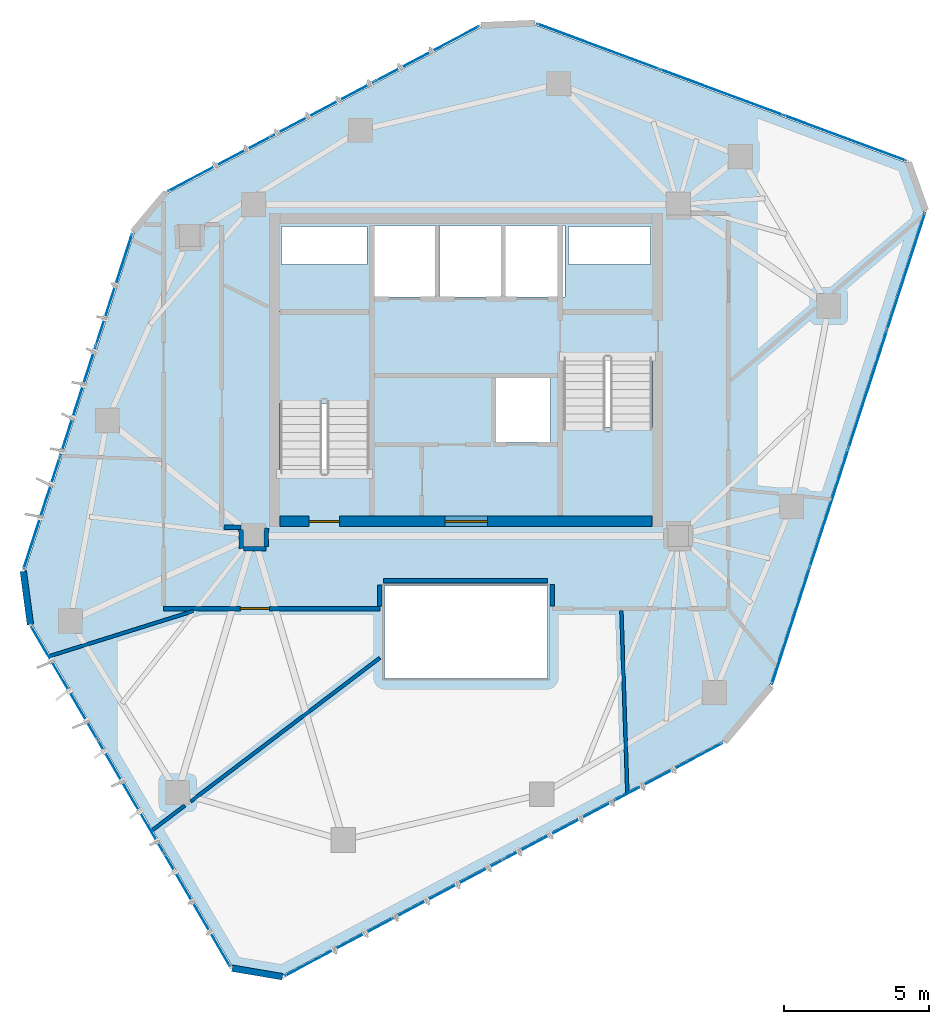
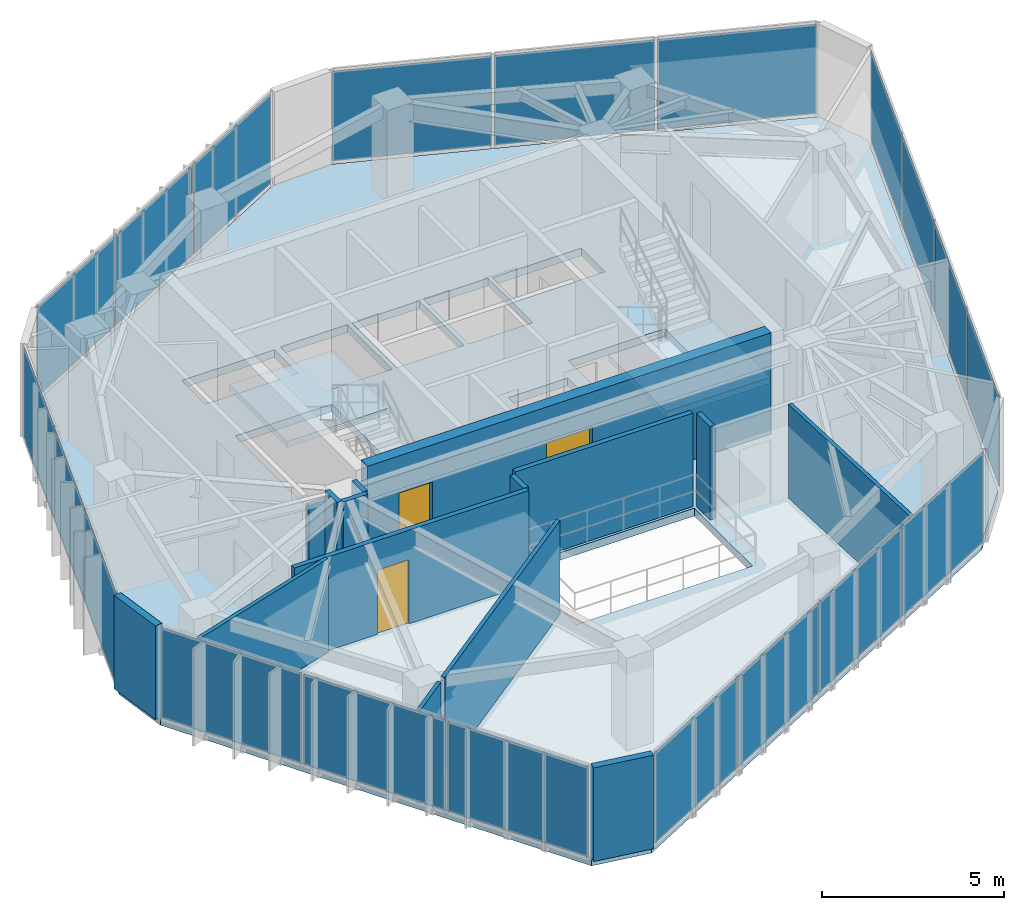
# One storey, part 16 of 20: 20 plates, 15 walls, 3 doors, 3 slabs, 3 openings, 8 elements without a shape of their own.
"""IFC4 building model written with IfcOpenShell, lengths in metres."""

from ifc_helpers import new_model, si_unit, direction, frame, frame_2d, origin, origin_2d, place, context, subcontext, project, spatial, polyline, rectangle, outline, extrude, source, transform, mapped, material, layer, layer_set, type_object, type_shapes, element, fill, aggregate, save


model = new_model("IFC4")

# Units and contexts
model_context = context("Model", 3, precision=1e-05, world=origin(), true_north=direction((0.0, 1.0)))
body_context = subcontext(model_context, "Body", "Model", "MODEL_VIEW")
ifc_project = project(units=[si_unit("LENGTHUNIT", "METRE"), si_unit("AREAUNIT", "SQUARE_METRE"), si_unit("VOLUMEUNIT", "CUBIC_METRE"), si_unit("PLANEANGLEUNIT", "RADIAN"), si_unit("MASSUNIT", "GRAM", prefix="KILO")], contexts=[model_context])

# Site, building, storey
site_placement = place(None, origin())
site = spatial("IfcSite", under=ifc_project, at=site_placement, CompositionType="ELEMENT")
building_placement = place(site_placement, origin())
building = spatial("IfcBuilding", under=site, at=building_placement, Name="Talar Marvaseh", CompositionType="ELEMENT")
storey_placement = place(building_placement, frame((0.0, 0.0, 261.199951171875)))
storey = spatial("IfcBuildingStorey", under=building, at=storey_placement, Name="L69", CompositionType="ELEMENT", Elevation=261.199951171875)

# Stair, slab
ifc_material_1 = material(Name="Concrete C40/50", Category="concrete")
stair_type = type_object("IfcStairType", Name="Reinforced Concrete High-Rise Exit Stair Type C", PredefinedType="HALF_TURN_STAIR", material=ifc_material_1)
stair_1_placement = place(storey_placement, origin())
stair_1 = element("IfcStair", 1, at=stair_1_placement, inside=storey, type_object=stair_type, Name="L69 Tower West Core Exit Stair", PredefinedType="HALF_TURN_STAIR")
ifc_layer_1 = layer(ifc_material_1, 0.199951171875)
ifc_layer_set_1 = layer_set([ifc_layer_1], Name="Concrete C40/50")
slab_type_1 = type_object("IfcSlabType", Name="Reinforced Concrete Stair Half-Landing Slab 200", PredefinedType="LANDING", material=ifc_layer_set_1)
slab_1_placement = place(storey_placement, frame((0.0, 0.0, 1.5)))
slab_1 = element("IfcSlab", 2, at=slab_1_placement, type_object=slab_type_1, Name="ST-1 landing 1", PredefinedType="LANDING", context=body_context, shape_type="SweptSolid", body=[
    extrude(outline(polyline([(22.780029296875, 30.050048828125), (22.780029296875, 33.219970703125), (19.47998046875, 33.219970703125), (19.47998046875, 30.050048828125), (22.780029296875, 30.050048828125)])), origin(), (0.0, 0.0, 1.0), 0.199951171875),
])
aggregate(stair_1, [slab_1])

stair_2_placement = place(storey_placement, origin())
stair_2 = element("IfcStair", 3, at=stair_2_placement, inside=storey, type_object=stair_type, Name="L69 Tower East Core Exit Stair", PredefinedType="HALF_TURN_STAIR")
slab_2_placement = place(storey_placement, frame((0.0, 0.0, 1.5)))
slab_2 = element("IfcSlab", 4, at=slab_2_placement, type_object=slab_type_1, Name="ST-2 landing 1", PredefinedType="LANDING", context=body_context, shape_type="SweptSolid", body=[
    extrude(outline(polyline([(29.219970703125, 29.25), (29.219970703125, 26.080078125), (32.52001953125, 26.080078125), (32.52001953125, 29.25), (29.219970703125, 29.25)])), origin(), (0.0, 0.0, 1.0), 0.199951171875),
])
aggregate(stair_2, [slab_2])

# Slab
ifc_layer_2 = layer(ifc_material_1, 0.260009765625)
ifc_layer_set_2 = layer_set([ifc_layer_2], Name="Concrete C40/50")
slab_type_2 = type_object("IfcSlabType", Name="Structural Suspended Floor Slab 260", PredefinedType="FLOOR", material=ifc_layer_set_2)
slab_3_placement = place(storey_placement, frame((0.0, 0.0, -0.260009765625)))
element("IfcSlab", 5, at=slab_3_placement, inside=storey, type_object=slab_type_2, Name="L69 Tower Floor Slab", PredefinedType="FLOOR", context=body_context, shape_type="SweptSolid", body=[
    extrude(outline(polyline([(19.700927734375, 10.3994140625), (17.967529296875, 10.691650390625), (11.0791015625, 22.458251953125), (10.83251953125, 24.29833984375), (14.5908203125, 35.911376953125), (15.735107421875, 37.275390625), (26.519287109375, 42.992919921875), (28.3740234375, 43.06982421875), (41.158203125, 38.3291015625), (41.7470703125, 36.6728515625), (36.446533203125, 20.36767578125), (34.837890625, 18.45068359375), (19.700927734375, 10.3994140625)]), holes=[polyline([(22.659912109375, 27.64990234375), (22.659912109375, 33.10009765625), (19.60009765625, 33.10009765625), (19.60009765625, 27.64990234375), (22.659912109375, 27.64990234375)]), polyline([(29.340087890625, 31.64990234375), (29.340087890625, 26.199951171875), (32.39990234375, 26.199951171875), (32.39990234375, 31.64990234375), (29.340087890625, 31.64990234375)]), polyline([(22.800048828125, 33.719970703125), (24.93994140625, 33.719970703125), (24.93994140625, 36.179931640625), (22.800048828125, 36.179931640625), (22.800048828125, 33.719970703125)]), polyline([(25.080078125, 33.719970703125), (27.219970703125, 33.719970703125), (27.219970703125, 36.179931640625), (25.080078125, 36.179931640625), (25.080078125, 33.719970703125)]), polyline([(27.360107421875, 33.719970703125), (29.39990234375, 33.719970703125), (29.39990234375, 36.179931640625), (27.360107421875, 36.179931640625), (27.360107421875, 33.719970703125)]), polyline([(27.02001953125, 28.719970703125), (28.89990234375, 28.719970703125), (28.89990234375, 30.93994140625), (27.02001953125, 30.93994140625), (27.02001953125, 28.719970703125)]), polyline([(19.659912109375, 34.840087890625), (22.60009765625, 34.840087890625), (22.60009765625, 36.139892578125), (19.659912109375, 36.139892578125), (19.659912109375, 34.840087890625)]), polyline([(29.52001953125, 34.840087890625), (32.340087890625, 34.840087890625), (32.340087890625, 36.139892578125), (29.52001953125, 36.139892578125), (29.52001953125, 34.840087890625)]), polyline([(23.199951171875, 20.60009765625), (28.800048828125, 20.60009765625), (28.800048828125, 23.800048828125), (23.199951171875, 23.800048828125), (23.199951171875, 20.60009765625)])]), origin(), (0.0, 0.0, 1.0), 0.260009765625),
])

# Curtain wall, plates
ifc_material_2 = material(Name="Architectural Aluminium", Category="aluminium")
ifc_layer_3 = layer(ifc_material_2, 0.179931640625)
ifc_layer_set_3 = layer_set([ifc_layer_3], Name="Architectural Aluminium")
curtain_wall_type = type_object("IfcCurtainWallType", Name="Unitised High-Wind Sky Curtain Wall Z4", PredefinedType="NOTDEFINED", material=ifc_layer_set_3)
curtain_wall_1_placement = place(storey_placement, origin())
curtain_wall_1 = element("IfcCurtainWall", 6, at=curtain_wall_1_placement, inside=storey, type_object=curtain_wall_type, Name="L69 Unitised High-Wind Sky Curtain Wall Z4", PredefinedType="NOTDEFINED")
ifc_material_3 = material(Name="Laminated Low-E Solar Glass", Category="glass")
ifc_layer_4 = layer(ifc_material_3, 0.028076171875)
ifc_layer_set_4 = layer_set([ifc_layer_4], Name="Laminated Low-E Solar Glass")
plate_type = type_object("IfcPlateType", Name="Double-Glazed Low-E Vision Curtain Panel 28", PredefinedType="CURTAIN_PANEL", material=ifc_layer_set_4)
shared_shape_1 = source(origin(), body_context, "Body", "SweptSolid", [
    extrude(rectangle(XDim=4.447509765625, YDim=0.028076171875, at=origin_2d()), origin(), (0.0, 0.0, 1.0), 3.010009765625),
])
plate_1_placement = place(storey_placement, frame((16.759521484375, 12.636474609375, 0.06494140625), z_axis=(0.0, 0.0, 1.0), x_axis=(-0.505219303768, 0.862990993638, 0.0)))
plate_1 = element("IfcPlate", 7, at=plate_1_placement, type_object=plate_type, Name="CW-Z4 panel 1.1", PredefinedType="CURTAIN_PANEL", context=body_context, shape_type="MappedRepresentation", body=[
    mapped(shared_shape_1, transform((0.0, 0.0, 0.0), x_axis=(1.0, 0.0, 0.0), y_axis=(0.0, 1.0, 0.0), z_axis=(0.0, 0.0, 1.0), scale=1.0)),
])
plate_2_placement = place(storey_placement, frame((12.18359375, 20.452880859375, 0.06494140625), z_axis=(0.0, 0.0, 1.0), x_axis=(-0.505219303768, 0.862990993638, 0.0)))
plate_2 = element("IfcPlate", 8, at=plate_2_placement, type_object=plate_type, Name="CW-Z4 panel 3.1", PredefinedType="CURTAIN_PANEL", context=body_context, shape_type="MappedRepresentation", body=[
    mapped(shared_shape_1, transform((0.0, 0.0, 0.0), x_axis=(1.0, 0.0, 0.0), y_axis=(0.0, 1.0, 0.0), z_axis=(0.0, 0.0, 1.0), scale=1.0)),
])
shared_shape_2 = source(origin(), body_context, "Body", "SweptSolid", [
    extrude(rectangle(XDim=4.47998046875, YDim=0.028076171875, at=origin_2d()), origin(), (0.0, 0.0, 1.0), 3.010009765625),
])
plate_3_placement = place(storey_placement, frame((14.471435546875, 16.544677734375, 0.06494140625), z_axis=(0.0, 0.0, 1.0), x_axis=(-0.505219303768, 0.862990993638, 0.0)))
plate_3 = element("IfcPlate", 9, at=plate_3_placement, type_object=plate_type, Name="CW-Z4 panel 2.1", PredefinedType="CURTAIN_PANEL", context=body_context, shape_type="MappedRepresentation", body=[
    mapped(shared_shape_2, transform((0.0, 0.0, 0.0), x_axis=(1.0, 0.0, 0.0), y_axis=(0.0, 1.0, 0.0), z_axis=(0.0, 0.0, 1.0), scale=1.0)),
])
aggregate(curtain_wall_1, [plate_1, plate_3, plate_2])

# Curtain wall, plate
curtain_wall_2_placement = place(storey_placement, origin())
curtain_wall_2 = element("IfcCurtainWall", 10, at=curtain_wall_2_placement, inside=storey, type_object=curtain_wall_type, Name="L69 Unitised High-Wind Sky Curtain Wall Z4", PredefinedType="NOTDEFINED")
plate_4_placement = place(storey_placement, frame((34.787109375, 40.755859375, 0.06494140625), z_axis=(0.0, 0.0, 1.0), x_axis=(0.937610494719, -0.347687446125, 0.0)))
plate_4 = element("IfcPlate", 11, at=plate_4_placement, type_object=plate_type, Name="CW-Z4 panel 2.1", PredefinedType="CURTAIN_PANEL", context=body_context, shape_type="MappedRepresentation", body=[
    mapped(shared_shape_2, transform((0.0, 0.0, 0.0), x_axis=(1.0, 0.0, 0.0), y_axis=(0.0, 1.0, 0.0), z_axis=(0.0, 0.0, 1.0), scale=1.0)),
])

# Curtain wall, plates
curtain_wall_3_placement = place(storey_placement, origin())
curtain_wall_3 = element("IfcCurtainWall", 12, at=curtain_wall_3_placement, inside=storey, type_object=curtain_wall_type, Name="L69 Unitised High-Wind Sky Curtain Wall Z4", PredefinedType="NOTDEFINED")
shared_shape_3 = source(origin(), body_context, "Body", "SweptSolid", [
    extrude(rectangle(XDim=3.97119140625, YDim=0.028076171875, at=origin_2d()), origin(), (0.0, 0.0, 1.0), 3.010009765625),
])
plate_5_placement = place(storey_placement, frame((11.40673828125, 26.267822265625, 0.06494140625), z_axis=(0.0, 0.0, 1.0), x_axis=(0.307888558966, 0.951422427346, 0.0)))
plate_5 = element("IfcPlate", 13, at=plate_5_placement, type_object=plate_type, Name="CW-Z4 panel 1.1", PredefinedType="CURTAIN_PANEL", context=body_context, shape_type="MappedRepresentation", body=[
    mapped(shared_shape_3, transform((0.0, 0.0, 0.0), x_axis=(1.0, 0.0, 0.0), y_axis=(0.0, 1.0, 0.0), z_axis=(0.0, 0.0, 1.0), scale=1.0)),
])
plate_6_placement = place(storey_placement, frame((13.90234375, 33.97900390625, 0.06494140625), z_axis=(0.0, 0.0, 1.0), x_axis=(0.307888558966, 0.951422427346, 0.0)))
plate_6 = element("IfcPlate", 14, at=plate_6_placement, type_object=plate_type, Name="CW-Z4 panel 3.1", PredefinedType="CURTAIN_PANEL", context=body_context, shape_type="MappedRepresentation", body=[
    mapped(shared_shape_3, transform((0.0, 0.0, 0.0), x_axis=(1.0, 0.0, 0.0), y_axis=(0.0, 1.0, 0.0), z_axis=(0.0, 0.0, 1.0), scale=1.0)),
])

curtain_wall_4_placement = place(storey_placement, origin())
curtain_wall_4 = element("IfcCurtainWall", 15, at=curtain_wall_4_placement, inside=storey, type_object=curtain_wall_type, Name="L69 Unitised High-Wind Sky Curtain Wall Z4", PredefinedType="NOTDEFINED")
plate_7_placement = place(storey_placement, frame((17.518798828125, 38.288818359375, 0.06494140625), z_axis=(0.0, 0.0, 1.0), x_axis=(0.883505770369, 0.468420274674, 0.0)))
plate_7 = element("IfcPlate", 16, at=plate_7_placement, type_object=plate_type, Name="CW-Z4 panel 1.1", PredefinedType="CURTAIN_PANEL", context=body_context, shape_type="MappedRepresentation", body=[
    mapped(shared_shape_3, transform((0.0, 0.0, 0.0), x_axis=(1.0, 0.0, 0.0), y_axis=(0.0, 1.0, 0.0), z_axis=(0.0, 0.0, 1.0), scale=1.0)),
])
plate_8_placement = place(storey_placement, frame((24.679443359375, 42.08544921875, 0.06494140625), z_axis=(0.0, 0.0, 1.0), x_axis=(0.883505770369, 0.468420274674, 0.0)))
plate_8 = element("IfcPlate", 17, at=plate_8_placement, type_object=plate_type, Name="CW-Z4 panel 3.1", PredefinedType="CURTAIN_PANEL", context=body_context, shape_type="MappedRepresentation", body=[
    mapped(shared_shape_3, transform((0.0, 0.0, 0.0), x_axis=(1.0, 0.0, 0.0), y_axis=(0.0, 1.0, 0.0), z_axis=(0.0, 0.0, 1.0), scale=1.0)),
])

# Plate
shared_shape_4 = source(origin(), body_context, "Body", "SweptSolid", [
    extrude(rectangle(XDim=4.003662109375, YDim=0.028076171875, at=origin_2d()), origin(), (0.0, 0.0, 1.0), 3.010009765625),
])
plate_9_placement = place(storey_placement, frame((12.654541015625, 30.123291015625, 0.06494140625), z_axis=(0.0, 0.0, 1.0), x_axis=(0.307888558966, 0.951422427346, 0.0)))
plate_9 = element("IfcPlate", 18, at=plate_9_placement, type_object=plate_type, Name="CW-Z4 panel 2.1", PredefinedType="CURTAIN_PANEL", context=body_context, shape_type="MappedRepresentation", body=[
    mapped(shared_shape_4, transform((0.0, 0.0, 0.0), x_axis=(1.0, 0.0, 0.0), y_axis=(0.0, 1.0, 0.0), z_axis=(0.0, 0.0, 1.0), scale=1.0)),
])

aggregate(curtain_wall_3, [plate_5, plate_9, plate_6])

plate_10_placement = place(storey_placement, frame((21.09912109375, 40.187255859375, 0.06494140625), z_axis=(0.0, 0.0, 1.0), x_axis=(0.883505770369, 0.468420274674, 0.0)))
plate_10 = element("IfcPlate", 19, at=plate_10_placement, type_object=plate_type, Name="CW-Z4 panel 2.1", PredefinedType="CURTAIN_PANEL", context=body_context, shape_type="MappedRepresentation", body=[
    mapped(shared_shape_4, transform((0.0, 0.0, 0.0), x_axis=(1.0, 0.0, 0.0), y_axis=(0.0, 1.0, 0.0), z_axis=(0.0, 0.0, 1.0), scale=1.0)),
])

aggregate(curtain_wall_4, [plate_7, plate_10, plate_8])

# Curtain wall, plates
curtain_wall_5_placement = place(storey_placement, origin())
curtain_wall_5 = element("IfcCurtainWall", 20, at=curtain_wall_5_placement, inside=storey, type_object=curtain_wall_type, Name="L69 Unitised High-Wind Sky Curtain Wall Z4", PredefinedType="NOTDEFINED")
shared_shape_5 = source(origin(), body_context, "Body", "SweptSolid", [
    extrude(rectangle(XDim=4.188720703125, YDim=0.028076171875, at=origin_2d()), origin(), (0.0, 0.0, 1.0), 3.010009765625),
])
plate_11_placement = place(storey_placement, frame((41.13671875, 34.600830078125, 0.06494140625), z_axis=(0.0, 0.0, 1.0), x_axis=(-0.309162168659, -0.95100933406, 0.0)))
plate_11 = element("IfcPlate", 21, at=plate_11_placement, type_object=plate_type, Name="CW-Z4 panel 1.1", PredefinedType="CURTAIN_PANEL", context=body_context, shape_type="MappedRepresentation", body=[
    mapped(shared_shape_5, transform((0.0, 0.0, 0.0), x_axis=(1.0, 0.0, 0.0), y_axis=(0.0, 1.0, 0.0), z_axis=(0.0, 0.0, 1.0), scale=1.0)),
])
plate_12_placement = place(storey_placement, frame((37.171142578125, 22.40283203125, 0.06494140625), z_axis=(0.0, 0.0, 1.0), x_axis=(-0.309162168659, -0.95100933406, 0.0)))
plate_12 = element("IfcPlate", 22, at=plate_12_placement, type_object=plate_type, Name="CW-Z4 panel 4.1", PredefinedType="CURTAIN_PANEL", context=body_context, shape_type="MappedRepresentation", body=[
    mapped(shared_shape_5, transform((0.0, 0.0, 0.0), x_axis=(1.0, 0.0, 0.0), y_axis=(0.0, 1.0, 0.0), z_axis=(0.0, 0.0, 1.0), scale=1.0)),
])

curtain_wall_6_placement = place(storey_placement, origin())
curtain_wall_6 = element("IfcCurtainWall", 23, at=curtain_wall_6_placement, inside=storey, type_object=curtain_wall_type, Name="L69 Unitised High-Wind Sky Curtain Wall Z4", PredefinedType="NOTDEFINED")
plate_13_placement = place(storey_placement, frame((32.959716796875, 17.383544921875, 0.06494140625), z_axis=(0.0, 0.0, 1.0), x_axis=(-0.882877122718, -0.469604073854, 0.0)))
plate_13 = element("IfcPlate", 24, at=plate_13_placement, type_object=plate_type, Name="CW-Z4 panel 1.1", PredefinedType="CURTAIN_PANEL", context=body_context, shape_type="MappedRepresentation", body=[
    mapped(shared_shape_5, transform((0.0, 0.0, 0.0), x_axis=(1.0, 0.0, 0.0), y_axis=(0.0, 1.0, 0.0), z_axis=(0.0, 0.0, 1.0), scale=1.0)),
])
plate_14_placement = place(storey_placement, frame((21.6357421875, 11.3603515625, 0.06494140625), z_axis=(0.0, 0.0, 1.0), x_axis=(-0.882877122718, -0.469604073854, 0.0)))
plate_14 = element("IfcPlate", 25, at=plate_14_placement, type_object=plate_type, Name="CW-Z4 panel 4.1", PredefinedType="CURTAIN_PANEL", context=body_context, shape_type="MappedRepresentation", body=[
    mapped(shared_shape_5, transform((0.0, 0.0, 0.0), x_axis=(1.0, 0.0, 0.0), y_axis=(0.0, 1.0, 0.0), z_axis=(0.0, 0.0, 1.0), scale=1.0)),
])

# Plate
shared_shape_6 = source(origin(), body_context, "Body", "SweptSolid", [
    extrude(rectangle(XDim=4.22119140625, YDim=0.028076171875, at=origin_2d()), origin(), (0.0, 0.0, 1.0), 3.010009765625),
])
plate_15_placement = place(storey_placement, frame((39.81640625, 30.539794921875, 0.06494140625), z_axis=(0.0, 0.0, 1.0), x_axis=(-0.309162168659, -0.95100933406, 0.0)))
plate_15 = element("IfcPlate", 26, at=plate_15_placement, type_object=plate_type, Name="CW-Z4 panel 2.1", PredefinedType="CURTAIN_PANEL", context=body_context, shape_type="MappedRepresentation", body=[
    mapped(shared_shape_6, transform((0.0, 0.0, 0.0), x_axis=(1.0, 0.0, 0.0), y_axis=(0.0, 1.0, 0.0), z_axis=(0.0, 0.0, 1.0), scale=1.0)),
])

plate_16_placement = place(storey_placement, frame((38.4912109375, 26.463623046875, 0.06494140625), z_axis=(0.0, 0.0, 1.0), x_axis=(-0.309162168659, -0.95100933406, 0.0)))
plate_16 = element("IfcPlate", 27, at=plate_16_placement, type_object=plate_type, Name="CW-Z4 panel 3.1", PredefinedType="CURTAIN_PANEL", context=body_context, shape_type="MappedRepresentation", body=[
    mapped(shared_shape_6, transform((0.0, 0.0, 0.0), x_axis=(1.0, 0.0, 0.0), y_axis=(0.0, 1.0, 0.0), z_axis=(0.0, 0.0, 1.0), scale=1.0)),
])

aggregate(curtain_wall_5, [plate_11, plate_15, plate_16, plate_12])

plate_17_placement = place(storey_placement, frame((29.18994140625, 15.37841796875, 0.06494140625), z_axis=(0.0, 0.0, 1.0), x_axis=(-0.882877122718, -0.469604073854, 0.0)))
plate_17 = element("IfcPlate", 28, at=plate_17_placement, type_object=plate_type, Name="CW-Z4 panel 2.1", PredefinedType="CURTAIN_PANEL", context=body_context, shape_type="MappedRepresentation", body=[
    mapped(shared_shape_6, transform((0.0, 0.0, 0.0), x_axis=(1.0, 0.0, 0.0), y_axis=(0.0, 1.0, 0.0), z_axis=(0.0, 0.0, 1.0), scale=1.0)),
])

plate_18_placement = place(storey_placement, frame((25.405517578125, 13.365478515625, 0.06494140625), z_axis=(0.0, 0.0, 1.0), x_axis=(-0.882877122718, -0.469604073854, 0.0)))
plate_18 = element("IfcPlate", 29, at=plate_18_placement, type_object=plate_type, Name="CW-Z4 panel 3.1", PredefinedType="CURTAIN_PANEL", context=body_context, shape_type="MappedRepresentation", body=[
    mapped(shared_shape_6, transform((0.0, 0.0, 0.0), x_axis=(1.0, 0.0, 0.0), y_axis=(0.0, 1.0, 0.0), z_axis=(0.0, 0.0, 1.0), scale=1.0)),
])

aggregate(curtain_wall_6, [plate_13, plate_17, plate_18, plate_14])

shared_shape_7 = source(origin(), body_context, "Body", "SweptSolid", [
    extrude(rectangle(XDim=4.447265625, YDim=0.028076171875, at=origin_2d()), origin(), (0.0, 0.0, 1.0), 3.010009765625),
])
type_shapes(plate_type, [shared_shape_1, shared_shape_2, shared_shape_3, shared_shape_4, shared_shape_5, shared_shape_6, shared_shape_7])
plate_19_placement = place(storey_placement, frame((30.541015625, 42.330322265625, 0.06494140625), z_axis=(0.0, 0.0, 1.0), x_axis=(0.937610494719, -0.347687446125, 0.0)))
plate_19 = element("IfcPlate", 30, at=plate_19_placement, type_object=plate_type, Name="CW-Z4 panel 1.1", PredefinedType="CURTAIN_PANEL", context=body_context, shape_type="MappedRepresentation", body=[
    mapped(shared_shape_7, transform((0.0, 0.0, 0.0), x_axis=(1.0, 0.0, 0.0), y_axis=(0.0, 1.0, 0.0), z_axis=(0.0, 0.0, 1.0), scale=1.0)),
])

plate_20_placement = place(storey_placement, frame((39.033203125, 39.18115234375, 0.06494140625), z_axis=(0.0, 0.0, 1.0), x_axis=(0.937610494719, -0.347687446125, 0.0)))
plate_20 = element("IfcPlate", 31, at=plate_20_placement, type_object=plate_type, Name="CW-Z4 panel 3.1", PredefinedType="CURTAIN_PANEL", context=body_context, shape_type="MappedRepresentation", body=[
    mapped(shared_shape_7, transform((0.0, 0.0, 0.0), x_axis=(1.0, 0.0, 0.0), y_axis=(0.0, 1.0, 0.0), z_axis=(0.0, 0.0, 1.0), scale=1.0)),
])

aggregate(curtain_wall_2, [plate_19, plate_4, plate_20])

# Walls
ifc_material_4 = material(Name="Precast concrete C45/55", Category="concrete")
ifc_layer_5 = layer(ifc_material_4, 0.22509765625)
ifc_layer_set_5 = layer_set([ifc_layer_5], Name="Precast concrete C45/55")
wall_type_1 = type_object("IfcWallType", Name="Chamfered Hexagonal Corner Pier Wall Z4 225", PredefinedType="SOLIDWALL", material=ifc_layer_set_5)
wall_1_placement = place(storey_placement, frame((19.69091796875, 10.340087890625, 0.0), z_axis=(0.0, 0.0, 1.0), x_axis=(-0.98606161906, 0.166380537977, 0.0)))
element("IfcWall", 32, at=wall_1_placement, inside=storey, type_object=wall_type_1, Name="L69 Chamfered Corner Limestone Pier 1", PredefinedType="SOLIDWALL", context=body_context, shape_type="SweptSolid", body=[
    extrude(rectangle(XDim=1.7578125, YDim=0.22509765625, at=frame_2d((0.87890625, 0.0))), origin(), (0.0, 0.0, 1.0), 3.14013671875),
])
wall_2_placement = place(storey_placement, frame((11.01953125, 22.4501953125, 0.0), z_axis=(0.0, 0.0, 1.0), x_axis=(-0.132689149659, 0.991157701661, 0.0)))
element("IfcWall", 33, at=wall_2_placement, inside=storey, type_object=wall_type_1, Name="L69 Chamfered Corner Limestone Pier 2", PredefinedType="SOLIDWALL", context=body_context, shape_type="SweptSolid", body=[
    extrude(rectangle(XDim=1.8564453125, YDim=0.22509765625, at=frame_2d((0.92822265625, 0.0))), origin(), (0.0, 0.0, 1.0), 3.14013671875),
])

# Wall, opening, door
ifc_material_5 = material(Name="Gypsum Board Partition Assembly")
ifc_layer_6 = layer(ifc_material_5, 0.155029296875)
ifc_layer_set_6 = layer_set([ifc_layer_6], Name="Gypsum Board Partition Assembly")
wall_type_2 = type_object("IfcWallType", Name="Corridor Fire-Rated Acoustic Partition 155", PredefinedType="PARTITIONING", material=ifc_layer_set_6)
wall_3_placement = place(storey_placement, frame((23.0400390625, 23.0, 0.0), z_axis=(0.0, 0.0, 1.0), x_axis=(-1.0, 0.0, 0.0)))
wall_3 = element("IfcWall", 34, at=wall_3_placement, inside=storey, type_object=wall_type_2, Name="L69 Interior Partition Wall", PredefinedType="PARTITIONING", context=body_context, shape_type="SweptSolid", body=[
    extrude(rectangle(XDim=7.43994140625, YDim=0.155029296875, at=frame_2d((3.719970703125, 0.0))), origin(), (0.0, 0.0, 1.0), 3.14013671875),
])
opening_1_placement = place(wall_3_placement, frame((3.802001953125, 0.0, 0.0)))
opening_1 = element("IfcOpeningElement", 35, at=opening_1_placement, cuts=wall_3, Name="Opening DR-RM100", PredefinedType="OPENING", context=body_context, shape_type="SweptSolid", body=[
    extrude(rectangle(XDim=1.0, YDim=2.14990234375, at=frame_2d((0.5, 1.074951171875))), frame((0.0, 0.08740234375, 0.0), z_axis=(0.0, -1.0, 0.0), x_axis=(1.0, 0.0, 0.0)), (0.0, 0.0, 1.0), 0.175048828125),
])
ifc_material_6 = material(Name="Acoustic Engineered Oak Timber", Category="wood")
door_type_1 = type_object("IfcDoorType", Name="Corridor Fire-Rated Gallery Door 1000x2150", OperationType="NOTDEFINED", PredefinedType="DOOR", material=ifc_material_6)
shared_shape_8 = source(origin(), body_context, "Body", "SweptSolid", [
    extrude(rectangle(XDim=1.0, YDim=2.14990234375, at=frame_2d((0.5, 1.074951171875))), frame((0.0, 0.02490234375, 0.0), z_axis=(0.0, -1.0, 0.0), x_axis=(1.0, 0.0, 0.0)), (0.0, 0.0, 1.0), 0.050048828125),
])
type_shapes(door_type_1, [shared_shape_8])
door_1_placement = place(opening_1_placement, origin())
door_1 = element("IfcDoor", 36, at=door_1_placement, inside=storey, type_object=door_type_1, Name="L69 Curatorial Staff Control Room Door", OperationType="SINGLE_SWING_LEFT", OverallHeight=2.14990234375, OverallWidth=1.0, PredefinedType="DOOR", context=body_context, shape_type="MappedRepresentation", body=[
    mapped(shared_shape_8, transform((0.0, 0.0, 0.0), x_axis=(1.0, 0.0, 0.0), y_axis=(0.0, 1.0, 0.0), z_axis=(0.0, 0.0, 1.0), scale=1.0)),
])
fill(opening_1, door_1)

# Walls
wall_4_placement = place(storey_placement, frame((17.68359375, 25.800048828125, 0.0), z_axis=(0.0, 0.0, 1.0), x_axis=(1.0, 0.0, 0.0)))
element("IfcWall", 37, at=wall_4_placement, inside=storey, type_object=wall_type_2, Name="L69 Interior Partition Wall", PredefinedType="PARTITIONING", context=body_context, shape_type="SweptSolid", body=[
    extrude(rectangle(XDim=0.576416015625, YDim=0.155029296875, at=frame_2d((0.2880859375, 0.0))), origin(), (0.0, 0.0, 1.0), 2.802001953125),
])
wall_5_placement = place(storey_placement, frame((18.260986328125, 25.716552734375, 0.0), z_axis=(0.0, 0.0, 1.0), x_axis=(0.010439401276, -0.999945507966, 0.0)))
element("IfcWall", 38, at=wall_5_placement, inside=storey, type_object=wall_type_2, Name="L69 Interior Partition Wall", PredefinedType="PARTITIONING", context=body_context, shape_type="SweptSolid", body=[
    extrude(rectangle(XDim=0.65478515625, YDim=0.155029296875, at=frame_2d((0.327392578125, 0.0))), origin(), (0.0, 0.0, 1.0), 3.14013671875),
])
wall_6_placement = place(storey_placement, frame((18.351318359375, 25.0615234375, 0.0), z_axis=(0.0, 0.0, 1.0), x_axis=(0.999998207633, -0.001893338355, 0.0)))
element("IfcWall", 39, at=wall_6_placement, inside=storey, type_object=wall_type_2, Name="L69 Interior Partition Wall", PredefinedType="PARTITIONING", context=body_context, shape_type="SweptSolid", body=[
    extrude(rectangle(XDim=0.773681640625, YDim=0.155029296875, at=frame_2d((0.38671875, 0.0))), origin(), (0.0, 0.0, 1.0), 3.14013671875),
])
wall_7_placement = place(storey_placement, frame((19.126708984375, 25.1435546875, 0.0), z_axis=(0.0, 0.0, 1.0), x_axis=(0.021238324089, 0.999774441357, 0.0)))
element("IfcWall", 40, at=wall_7_placement, inside=storey, type_object=wall_type_2, Name="L69 Interior Partition Wall", PredefinedType="PARTITIONING", context=body_context, shape_type="SweptSolid", body=[
    extrude(rectangle(XDim=0.620849609375, YDim=0.155029296875, at=frame_2d((0.310546875, 0.0))), origin(), (0.0, 0.0, 1.0), 3.14013671875),
])
wall_8_placement = place(storey_placement, frame((28.959716796875, 23.08349609375, 0.0), z_axis=(0.0, 0.0, 1.0), x_axis=(-0.003917697652, 0.999992325793, 0.0)))
element("IfcWall", 41, at=wall_8_placement, inside=storey, type_object=wall_type_2, Name="L69 Interior Partition Wall", PredefinedType="PARTITIONING", context=body_context, shape_type="SweptSolid", body=[
    extrude(rectangle(XDim=0.747802734375, YDim=0.155029296875, at=frame_2d((0.3740234375, 0.0))), origin(), (0.0, 0.0, 1.0), 3.14013671875),
])
wall_9_placement = place(storey_placement, frame((28.800048828125, 23.9599609375, 0.0), z_axis=(0.0, 0.0, 1.0), x_axis=(-0.999999841177, -0.000563600015, 0.0)))
element("IfcWall", 42, at=wall_9_placement, inside=storey, type_object=wall_type_2, Name="L69 Interior Partition Wall", PredefinedType="PARTITIONING", context=body_context, shape_type="SweptSolid", body=[
    extrude(rectangle(XDim=5.63134765625, YDim=0.155029296875, at=frame_2d((2.815673828125, 0.0))), origin(), (0.0, 0.0, 1.0), 3.14013671875),
])
wall_10_placement = place(storey_placement, frame((23.040771484375, 23.815673828125, 0.0), z_axis=(0.0, 0.0, 1.0), x_axis=(-0.001000332944, -0.999999499667, 0.0)))
element("IfcWall", 43, at=wall_10_placement, inside=storey, type_object=wall_type_2, Name="L69 Interior Partition Wall", PredefinedType="PARTITIONING", context=body_context, shape_type="SweptSolid", body=[
    extrude(rectangle(XDim=0.732177734375, YDim=0.155029296875, at=frame_2d((0.3662109375, 0.0))), origin(), (0.0, 0.0, 1.0), 3.14013671875),
])
ifc_layer_7 = layer(ifc_material_5, 0.1201171875)
ifc_layer_set_7 = layer_set([ifc_layer_7], Name="Gypsum Board Partition Assembly")
wall_type_3 = type_object("IfcWallType", Name="Demountable Studio Room Partition 120", PredefinedType="PARTITIONING", material=ifc_layer_set_7)
wall_11_placement = place(storey_placement, frame((16.62353515625, 22.91650390625, 0.0), z_axis=(0.0, 0.0, 1.0), x_axis=(-0.954201333818, -0.299165196072, 0.0)))
element("IfcWall", 44, at=wall_11_placement, inside=storey, type_object=wall_type_3, Name="L69 Interior Partition Wall", PredefinedType="PARTITIONING", context=body_context, shape_type="SweptSolid", body=[
    extrude(rectangle(XDim=5.18359375, YDim=0.1201171875, at=frame_2d((2.591796875, 0.0))), origin(), (0.0, 0.0, 1.0), 3.14013671875),
])
wall_12_placement = place(storey_placement, frame((23.0400390625, 21.31005859375, 0.0), z_axis=(0.0, 0.0, 1.0), x_axis=(-0.796613882776, -0.604488479434, 0.0)))
element("IfcWall", 45, at=wall_12_placement, inside=storey, type_object=wall_type_3, Name="L69 Interior Partition Wall", PredefinedType="PARTITIONING", context=body_context, shape_type="SweptSolid", body=[
    extrude(rectangle(XDim=8.172119140625, YDim=0.1201171875, at=frame_2d((4.0859375, 0.0))), origin(), (0.0, 0.0, 1.0), 3.14013671875),
])
wall_13_placement = place(storey_placement, frame((16.330078125, 16.22998046875, 0.0), z_axis=(0.0, 0.0, 1.0), x_axis=(-0.796195081482, -0.605039992252, 0.0)))
element("IfcWall", 46, at=wall_13_placement, inside=storey, type_object=wall_type_3, Name="L69 Interior Partition Wall", PredefinedType="PARTITIONING", context=body_context, shape_type="SweptSolid", body=[
    extrude(rectangle(XDim=1.430419921875, YDim=0.1201171875, at=frame_2d((0.71533203125, 0.0))), origin(), (0.0, 0.0, 1.0), 3.14013671875),
])
wall_14_placement = place(storey_placement, frame((31.342041015625, 22.93505859375, 0.0), z_axis=(0.0, 0.0, 1.0), x_axis=(0.032533131383, -0.999470657579, 0.0)))
element("IfcWall", 47, at=wall_14_placement, inside=storey, type_object=wall_type_3, Name="L69 Interior Partition Wall", PredefinedType="PARTITIONING", context=body_context, shape_type="SweptSolid", body=[
    extrude(rectangle(XDim=6.28125, YDim=0.1201171875, at=frame_2d((3.140625, 0.0))), origin(), (0.0, 0.0, 1.0), 3.14013671875),
])

# Wall, openings, doors
ifc_material_7 = material(Name="Concrete C50/60", Category="concrete")
ifc_layer_8 = layer(ifc_material_7, 0.360107421875)
ifc_layer_set_8 = layer_set([ifc_layer_8], Name="Concrete C50/60")
wall_type_4 = type_object("IfcWallType", Name="Upper Core Reinforced Concrete Shear Wall 360", PredefinedType="SHEAR", material=ifc_layer_set_8)
wall_15_placement = place(storey_placement, frame((32.39990234375, 26.0, 0.0), z_axis=(0.0, 0.0, 1.0), x_axis=(-1.0, 0.0, 0.0)))
wall_15 = element("IfcWall", 48, at=wall_15_placement, inside=storey, type_object=wall_type_4, Name="L69 South Core Shear Wall", PredefinedType="SHEAR", context=body_context, shape_type="SweptSolid", body=[
    extrude(rectangle(XDim=12.7998046875, YDim=0.360107421875, at=frame_2d((6.39990234375, 0.0))), origin(), (0.0, 0.0, 1.0), 3.400146484375),
])
opening_2_placement = place(wall_15_placement, frame((10.75, 0.0, 0.0)))
opening_2 = element("IfcOpeningElement", 49, at=opening_2_placement, cuts=wall_15, Name="Opening DR-ST105", PredefinedType="OPENING", context=body_context, shape_type="SweptSolid", body=[
    extrude(rectangle(XDim=1.050048828125, YDim=2.14990234375, at=frame_2d((0.52490234375, 1.074951171875))), frame((0.0, 0.18994140625, 0.0), z_axis=(0.0, -1.0, 0.0), x_axis=(1.0, 0.0, 0.0)), (0.0, 0.0, 1.0), 0.380126953125),
])
opening_3_placement = place(wall_15_placement, frame((5.669921875, 0.0, 0.0)))
opening_3 = element("IfcOpeningElement", 50, at=opening_3_placement, cuts=wall_15, Name="Opening DR-LBY145", PredefinedType="OPENING", context=body_context, shape_type="SweptSolid", body=[
    extrude(rectangle(XDim=1.449951171875, YDim=2.199951171875, at=frame_2d((0.72509765625, 1.10009765625))), frame((0.0, 0.18994140625, 0.0), z_axis=(0.0, -1.0, 0.0), x_axis=(1.0, 0.0, 0.0)), (0.0, 0.0, 1.0), 0.380126953125),
])
ifc_material_8 = material(Name="Fire-Rated Steel Door Leaf", Category="steel")
door_type_2 = type_object("IfcDoorType", Name="Protected Exit Stair Fire Door 1050x2150", OperationType="NOTDEFINED", PredefinedType="DOOR", material=ifc_material_8)
shared_shape_9 = source(origin(), body_context, "Body", "SweptSolid", [
    extrude(rectangle(XDim=1.050048828125, YDim=2.14990234375, at=frame_2d((0.52490234375, 1.074951171875))), frame((0.0, 0.02490234375, 0.0), z_axis=(0.0, -1.0, 0.0), x_axis=(1.0, 0.0, 0.0)), (0.0, 0.0, 1.0), 0.050048828125),
])
type_shapes(door_type_2, [shared_shape_9])
door_2_placement = place(opening_2_placement, origin())
door_2 = element("IfcDoor", 51, at=door_2_placement, inside=storey, type_object=door_type_2, Name="L69 Stair ST-1 Exit Door", OperationType="SINGLE_SWING_RIGHT", OverallHeight=2.14990234375, OverallWidth=1.050048828125, PredefinedType="DOOR", context=body_context, shape_type="MappedRepresentation", body=[
    mapped(shared_shape_9, transform((0.0, 0.0, 0.0), x_axis=(1.0, 0.0, 0.0), y_axis=(0.0, 1.0, 0.0), z_axis=(0.0, 0.0, 1.0), scale=1.0)),
])
fill(opening_2, door_2)
door_type_3 = type_object("IfcDoorType", Name="Core Lift Lobby Double Smoke Door 1450x2200", OperationType="NOTDEFINED", PredefinedType="DOOR", material=ifc_material_8)
shared_shape_10 = source(origin(), body_context, "Body", "SweptSolid", [
    extrude(rectangle(XDim=1.449951171875, YDim=2.199951171875, at=frame_2d((0.72509765625, 1.10009765625))), frame((0.0, 0.02490234375, 0.0), z_axis=(0.0, -1.0, 0.0), x_axis=(1.0, 0.0, 0.0)), (0.0, 0.0, 1.0), 0.050048828125),
])
type_shapes(door_type_3, [shared_shape_10])
door_3_placement = place(opening_3_placement, origin())
door_3 = element("IfcDoor", 52, at=door_3_placement, inside=storey, type_object=door_type_3, Name="L69 Passenger Lift Lobby Entrance Door", OperationType="DOUBLE_DOOR_SINGLE_SWING", OverallHeight=2.199951171875, OverallWidth=1.449951171875, PredefinedType="DOOR", context=body_context, shape_type="MappedRepresentation", body=[
    mapped(shared_shape_10, transform((0.0, 0.0, 0.0), x_axis=(1.0, 0.0, 0.0), y_axis=(0.0, 1.0, 0.0), z_axis=(0.0, 0.0, 1.0), scale=1.0)),
])
fill(opening_3, door_3)

save(model, "model.ifc")
